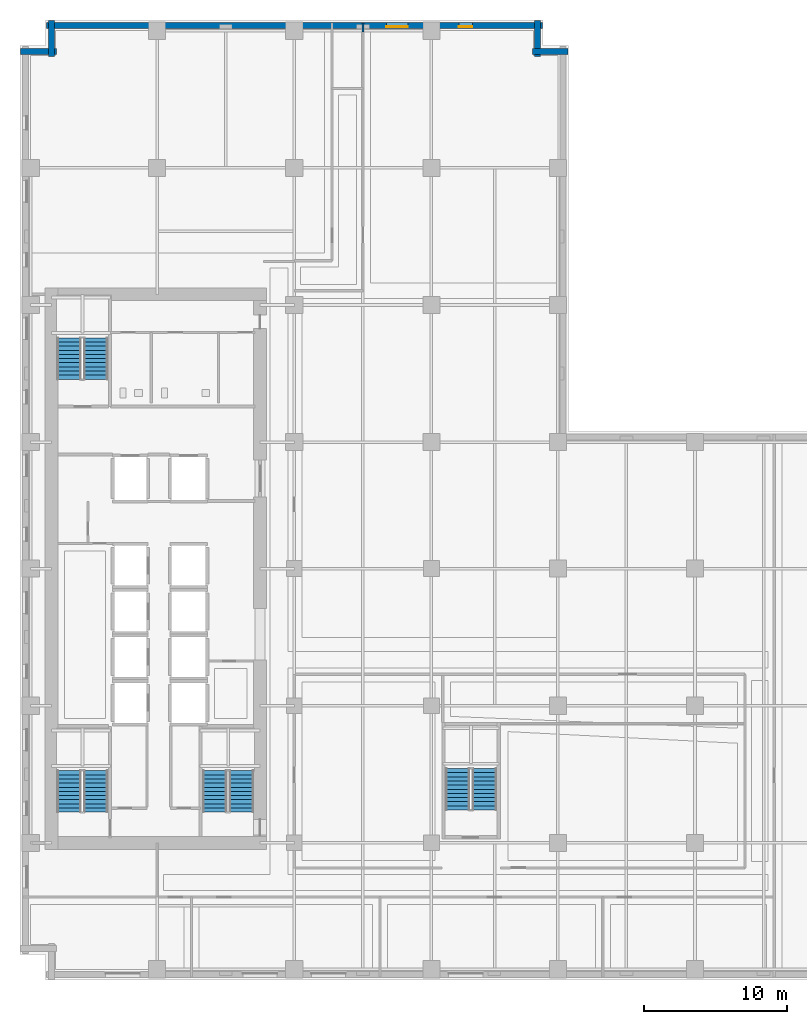
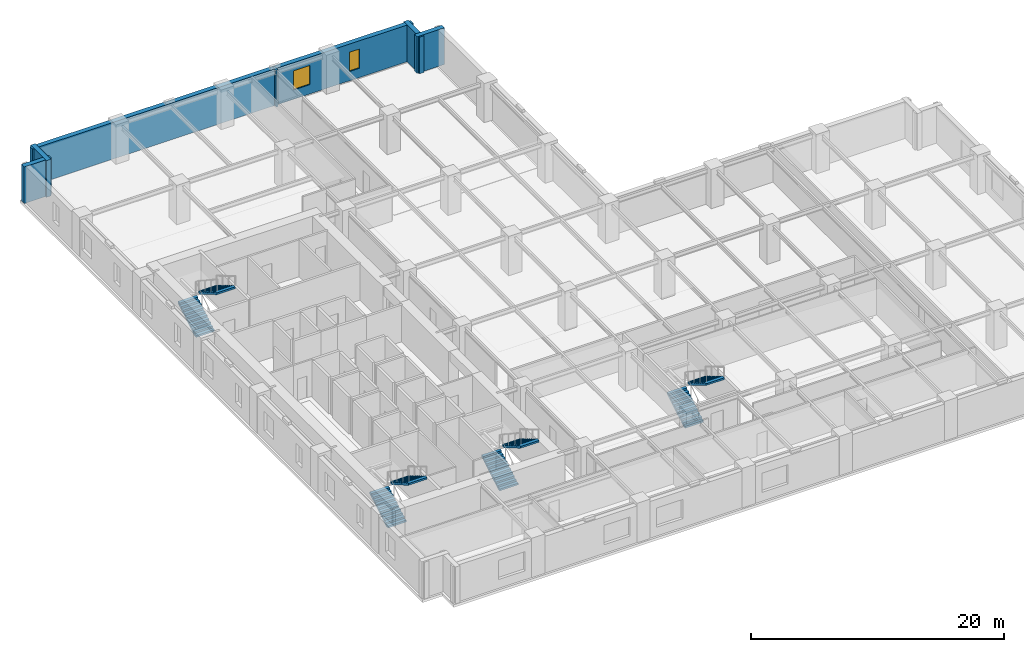
# One storey, part 8 of 13: 8 stair flights, 6 walls, 2 windows, 2 openings, 4 elements without a shape of their own.
"""IFC4 building model written with IfcOpenShell, lengths in metres."""

from ifc_helpers import new_model, si_unit, direction, frame, frame_2d, origin, place, context, subcontext, project, spatial, polyline, rectangle, outline, extrude, material, layer, layer_set, type_object, element, fill, aggregate, save


model = new_model("IFC4")

# Units and contexts
model_context = context("Model", 3, precision=1e-05, world=origin(), true_north=direction((0.0, 1.0)))
body_context = subcontext(model_context, "Body", "Model", "MODEL_VIEW")
ifc_project = project(units=[si_unit("LENGTHUNIT", "METRE"), si_unit("AREAUNIT", "SQUARE_METRE"), si_unit("VOLUMEUNIT", "CUBIC_METRE"), si_unit("PLANEANGLEUNIT", "RADIAN"), si_unit("MASSUNIT", "GRAM", prefix="KILO")], contexts=[model_context])

# Site, building, storey
site_placement = place(None, origin())
site = spatial("IfcSite", under=ifc_project, at=site_placement, CompositionType="ELEMENT")
building_placement = place(site_placement, origin())
building = spatial("IfcBuilding", under=site, at=building_placement, Name="Norrvale University Quadrangle", CompositionType="ELEMENT")
storey_placement = place(building_placement, frame((0.0, 0.0, 39.39990234375)))
storey = spatial("IfcBuildingStorey", under=building, at=storey_placement, Name="L09", CompositionType="ELEMENT", Elevation=39.39990234375)

# Walls
ifc_material_1 = material(Name="Buff Norman Clay Brick Masonry", Category="masonry")
ifc_layer_1 = layer(ifc_material_1, 0.419921875, Name="Buff Norman Clay Brick Masonry")
ifc_layer_set_1 = layer_set([ifc_layer_1], Name="Buff Norman Clay Brick Masonry")
wall_type_1 = type_object("IfcWallType", Name="Wall Buff Brick 420", PredefinedType="SOLIDWALL", material=ifc_layer_set_1)
for number, where, z_axis, x_axis, name in (
    (1, (38.360107421875, 65.010009765625, 0.0), (0.0, 0.0, 1.0), (-1.0, 0.0, 0.0), "Exterior Brick Facade Wall L09-09.1"),
    (2, (36.2099609375, 64.659912109375, 0.0), (0.0, 0.0, 1.0), (0.0, 1.0, 0.0), "Exterior Brick Facade Wall L09-10.1"),
):
    element("IfcWall", number, at=place(storey_placement, frame(where, z_axis=z_axis, x_axis=x_axis)), inside=storey, type_object=wall_type_1, Name=name, PredefinedType="SOLIDWALL", context=body_context, shape_type="SweptSolid", body=[
        extrude(rectangle(XDim=2.5, YDim=0.419921875, at=frame_2d((1.25, 0.0))), origin(), (0.0, 0.0, 1.0), 3.5400390625),
    ])

# Wall, openings, windows
wall_1_placement = place(storey_placement, frame((36.56005859375, 66.81005859375, 0.0), z_axis=(0.0, 0.0, 1.0), x_axis=(-1.0, 0.0, 0.0)))
wall_1 = element("IfcWall", 3, at=wall_1_placement, inside=storey, type_object=wall_type_1, Name="Exterior Brick Facade Wall L09-11.1", PredefinedType="SOLIDWALL", context=body_context, shape_type="SweptSolid", body=[
    extrude(rectangle(XDim=34.719970703125, YDim=0.419921875, at=frame_2d((17.35986328125, 0.0))), origin(), (0.0, 0.0, 1.0), 3.5400390625),
])
opening_1_placement = place(wall_1_placement, frame((4.885009765625, 0.0, 0.89990234375)))
opening_1 = element("IfcOpeningElement", 4, at=opening_1_placement, cuts=wall_1, Name="Opening W04", PredefinedType="OPENING", context=body_context, shape_type="SweptSolid", body=[
    extrude(rectangle(XDim=0.949951171875, YDim=1.85009765625, at=frame_2d((0.47509765625, 0.925048828125))), frame((0.0, 0.221923828125, 0.0), z_axis=(0.0, -1.0, 0.0), x_axis=(1.0, 0.0, 0.0)), (0.0, 0.0, 1.0), 0.44384765625),
])
opening_2_placement = place(wall_1_placement, frame((9.409912109375, 0.0, 0.89990234375)))
opening_2 = element("IfcOpeningElement", 5, at=opening_2_placement, cuts=wall_1, Name="Opening W03", PredefinedType="OPENING", context=body_context, shape_type="SweptSolid", body=[
    extrude(rectangle(XDim=1.5, YDim=1.85009765625, at=frame_2d((0.75, 0.925048828125))), frame((0.0, 0.221923828125, 0.0), z_axis=(0.0, -1.0, 0.0), x_axis=(1.0, 0.0, 0.0)), (0.0, 0.0, 1.0), 0.44384765625),
])
ifc_material_2 = material(Name="Triple Low-E Argon Glazing", Category="glass")
window_type_1 = type_object("IfcWindowType", Name="Window Narrow Pier 950x2300", PartitioningType="SINGLE_PANEL", PredefinedType="WINDOW", material=ifc_material_2)
window_1_placement = place(opening_1_placement, origin())
window_1 = element("IfcWindow", 6, at=window_1_placement, inside=storey, type_object=window_type_1, Name="Window Narrow Pier 950x2300 WIN-L09-E11-1-01", OverallHeight=1.85009765625, OverallWidth=0.949951171875, PartitioningType="SINGLE_PANEL", PredefinedType="WINDOW", context=body_context, shape_type="SweptSolid", body=[
    extrude(rectangle(XDim=0.949951171875, YDim=1.85009765625, at=frame_2d((0.47509765625, 0.925048828125))), frame((0.0, 0.110107421875, 0.0), z_axis=(0.0, -1.0, 0.0), x_axis=(1.0, 0.0, 0.0)), (0.0, 0.0, 1.0), 0.06005859375),
])
fill(opening_1, window_1)
window_type_2 = type_object("IfcWindowType", Name="Window Studio 1500x2300", PartitioningType="DOUBLE_PANEL_VERTICAL", PredefinedType="WINDOW", material=ifc_material_2)
window_2_placement = place(opening_2_placement, origin())
window_2 = element("IfcWindow", 7, at=window_2_placement, inside=storey, type_object=window_type_2, Name="Window Studio 1500x2300 WIN-L09-E11-1-02", OverallHeight=1.85009765625, OverallWidth=1.5, PartitioningType="DOUBLE_PANEL_VERTICAL", PredefinedType="WINDOW", context=body_context, shape_type="SweptSolid", body=[
    extrude(rectangle(XDim=1.5, YDim=1.85009765625, at=frame_2d((0.75, 0.925048828125))), frame((0.0, 0.110107421875, 0.0), z_axis=(0.0, -1.0, 0.0), x_axis=(1.0, 0.0, 0.0)), (0.0, 0.0, 1.0), 0.06005859375),
])
fill(opening_2, window_2)

# Walls
for number, where, z_axis, x_axis, name in (
    (8, (2.18994140625, 67.159912109375, 0.0), (0.0, 0.0, 1.0), (0.0, -1.0, 0.0), "Exterior Brick Facade Wall L09-12.1"),
    (9, (2.5400390625, 65.010009765625, 0.0), (0.0, 0.0, 1.0), (-1.0, 0.0, 0.0), "Exterior Brick Facade Wall L09-13.1"),
):
    element("IfcWall", number, at=place(storey_placement, frame(where, z_axis=z_axis, x_axis=x_axis)), inside=storey, type_object=wall_type_1, Name=name, PredefinedType="SOLIDWALL", context=body_context, shape_type="SweptSolid", body=[
        extrude(rectangle(XDim=2.5, YDim=0.419921875, at=frame_2d((1.25, 0.0))), origin(), (0.0, 0.0, 1.0), 3.5400390625),
    ])
ifc_material_3 = material(Name="Fire-Rated Gypsum Stud Partition")
ifc_layer_2 = layer(ifc_material_3, 0.14990234375, Name="Fire-Rated Gypsum Stud Partition")
ifc_layer_set_2 = layer_set([ifc_layer_2], Name="Fire-Rated Gypsum Stud Partition")
wall_type_2 = type_object("IfcWallType", Name="Wall Gypsum Corridor 150", PredefinedType="PARTITIONING", material=ifc_layer_set_2)
wall_2_placement = place(storey_placement, frame((24.0, 66.359619140625, 0.0), z_axis=(0.0, 0.0, 1.0), x_axis=(0.0, 1.0, 0.0)))
element("IfcWall", 10, at=wall_2_placement, inside=storey, type_object=wall_type_2, Name="Interior Partition WL-L09-NECW-B2", PredefinedType="PARTITIONING", context=body_context, shape_type="SweptSolid", body=[
    extrude(rectangle(XDim=0.620361328125, YDim=0.14990234375, at=frame_2d((0.31005859375, 0.0))), origin(), (0.0, 0.0, 1.0), 3.5400390625),
])

# Stair, stair flights
ifc_material_4 = material(Name="Concrete C40/50", Category="concrete")
stair_type = type_object("IfcStairType", Name="Stair Tower Typ 3800", PredefinedType="TWO_STRAIGHT_RUN_STAIR", material=ifc_material_4)
stair_1_placement = place(storey_placement, origin())
stair_1 = element("IfcStair", 11, at=stair_1_placement, inside=storey, type_object=stair_type, Name="Exit Stair ST-01 L09", PredefinedType="TWO_STRAIGHT_RUN_STAIR")
stair_flight_type = type_object("IfcStairFlightType", Name="Flight Typ 1500", PredefinedType="STRAIGHT", material=ifc_material_4)
stair_flight_1_placement = place(storey_placement, frame((3.429931640625, 11.75, 0.0), z_axis=(0.0, 0.0, 1.0), x_axis=(0.0, 1.0, 0.0)))
stair_flight_1 = element("IfcStairFlight", 12, at=stair_flight_1_placement, type_object=stair_flight_type, Name="Exit Stair ST-01 L09 Lower Flight", NumberOfRisers=11, NumberOfTreads=10, PredefinedType="STRAIGHT", RiserHeight=0.172727, TreadLength=0.29, context=body_context, shape_type="SweptSolid", body=[
    extrude(outline(polyline([(0.0, 0.0), (0.0, 0.172607421875), (0.2900390625, 0.172607421875), (0.2900390625, 0.345458984375), (0.580078125, 0.345458984375), (0.580078125, 0.51806640625), (0.8701171875, 0.51806640625), (0.8701171875, 0.69091796875), (1.159912109375, 0.69091796875), (1.159912109375, 0.863525390625), (1.449951171875, 0.863525390625), (1.449951171875, 1.036376953125), (1.739990234375, 1.036376953125), (1.739990234375, 1.208984375), (2.030029296875, 1.208984375), (2.030029296875, 1.3818359375), (2.320068359375, 1.3818359375), (2.320068359375, 1.554443359375), (2.610107421875, 1.554443359375), (2.610107421875, 1.727294921875), (2.89990234375, 1.727294921875), (2.89990234375, 1.89990234375), (2.89990234375, 1.552734375), (0.29296875, 0.0), (0.0, 0.0)])), frame((0.0, 0.83984375, 0.0), z_axis=(0.0, -1.0, 0.0), x_axis=(1.0, 0.0, 0.0)), (0.0, 0.0, 1.0), 1.679931640625),
])
stair_flight_2_placement = place(storey_placement, frame((5.320068359375, 14.64990234375, 1.900146484375), z_axis=(0.0, 0.0, 1.0), x_axis=(0.0, -1.0, 0.0)))
stair_flight_2 = element("IfcStairFlight", 13, at=stair_flight_2_placement, type_object=stair_flight_type, Name="Exit Stair ST-01 L09 Upper Flight", NumberOfRisers=11, NumberOfTreads=10, PredefinedType="STRAIGHT", RiserHeight=0.172727, TreadLength=0.29, context=body_context, shape_type="SweptSolid", body=[
    extrude(outline(polyline([(0.0, 0.0), (0.0, 0.172607421875), (0.2900390625, 0.172607421875), (0.2900390625, 0.345458984375), (0.580078125, 0.345458984375), (0.580078125, 0.51806640625), (0.8701171875, 0.51806640625), (0.8701171875, 0.69091796875), (1.159912109375, 0.69091796875), (1.159912109375, 0.863525390625), (1.449951171875, 0.863525390625), (1.449951171875, 1.036376953125), (1.739990234375, 1.036376953125), (1.739990234375, 1.208984375), (2.030029296875, 1.208984375), (2.030029296875, 1.3818359375), (2.320068359375, 1.3818359375), (2.320068359375, 1.554443359375), (2.610107421875, 1.554443359375), (2.610107421875, 1.727294921875), (2.89990234375, 1.727294921875), (2.89990234375, 1.89990234375), (2.89990234375, 1.552734375), (0.29296875, 0.0), (0.0, 0.0)])), frame((0.0, 0.83984375, 0.0), z_axis=(0.0, -1.0, 0.0), x_axis=(1.0, 0.0, 0.0)), (0.0, 0.0, 1.0), 1.679931640625),
])
aggregate(stair_1, [stair_flight_1, stair_flight_2])

stair_2_placement = place(storey_placement, origin())
stair_2 = element("IfcStair", 14, at=stair_2_placement, inside=storey, type_object=stair_type, Name="Exit Stair ST-02 L09", PredefinedType="TWO_STRAIGHT_RUN_STAIR")
stair_flight_3_placement = place(storey_placement, frame((3.429931640625, 42.050048828125, 0.0), z_axis=(0.0, 0.0, 1.0), x_axis=(0.0, 1.0, 0.0)))
stair_flight_3 = element("IfcStairFlight", 15, at=stair_flight_3_placement, type_object=stair_flight_type, Name="Exit Stair ST-02 L09 Lower Flight", NumberOfRisers=11, NumberOfTreads=10, PredefinedType="STRAIGHT", RiserHeight=0.172727, TreadLength=0.29, context=body_context, shape_type="SweptSolid", body=[
    extrude(outline(polyline([(0.0, 0.0), (0.0, 0.172607421875), (0.2900390625, 0.172607421875), (0.2900390625, 0.345458984375), (0.580078125, 0.345458984375), (0.580078125, 0.51806640625), (0.8701171875, 0.51806640625), (0.8701171875, 0.69091796875), (1.159912109375, 0.69091796875), (1.159912109375, 0.863525390625), (1.449951171875, 0.863525390625), (1.449951171875, 1.036376953125), (1.739990234375, 1.036376953125), (1.739990234375, 1.208984375), (2.030029296875, 1.208984375), (2.030029296875, 1.3818359375), (2.320068359375, 1.3818359375), (2.320068359375, 1.554443359375), (2.610107421875, 1.554443359375), (2.610107421875, 1.727294921875), (2.89990234375, 1.727294921875), (2.89990234375, 1.89990234375), (2.89990234375, 1.552734375), (0.29296875, 0.0), (0.0, 0.0)])), frame((0.0, 0.83984375, 0.0), z_axis=(0.0, -1.0, 0.0), x_axis=(1.0, 0.0, 0.0)), (0.0, 0.0, 1.0), 1.679931640625),
])
stair_flight_4_placement = place(storey_placement, frame((5.320068359375, 44.949951171875, 1.900146484375), z_axis=(0.0, 0.0, 1.0), x_axis=(0.0, -1.0, 0.0)))
stair_flight_4 = element("IfcStairFlight", 16, at=stair_flight_4_placement, type_object=stair_flight_type, Name="Exit Stair ST-02 L09 Upper Flight", NumberOfRisers=11, NumberOfTreads=10, PredefinedType="STRAIGHT", RiserHeight=0.172727, TreadLength=0.29, context=body_context, shape_type="SweptSolid", body=[
    extrude(outline(polyline([(0.0, 0.0), (0.0, 0.172607421875), (0.2900390625, 0.172607421875), (0.2900390625, 0.345458984375), (0.580078125, 0.345458984375), (0.580078125, 0.51806640625), (0.8701171875, 0.51806640625), (0.8701171875, 0.69091796875), (1.159912109375, 0.69091796875), (1.159912109375, 0.863525390625), (1.449951171875, 0.863525390625), (1.449951171875, 1.036376953125), (1.739990234375, 1.036376953125), (1.739990234375, 1.208984375), (2.030029296875, 1.208984375), (2.030029296875, 1.3818359375), (2.320068359375, 1.3818359375), (2.320068359375, 1.554443359375), (2.610107421875, 1.554443359375), (2.610107421875, 1.727294921875), (2.89990234375, 1.727294921875), (2.89990234375, 1.89990234375), (2.89990234375, 1.552734375), (0.29296875, 0.0), (0.0, 0.0)])), frame((0.0, 0.83984375, 0.0), z_axis=(0.0, -1.0, 0.0), x_axis=(1.0, 0.0, 0.0)), (0.0, 0.0, 1.0), 1.679931640625),
])
aggregate(stair_2, [stair_flight_3, stair_flight_4])

stair_3_placement = place(storey_placement, origin())
stair_3 = element("IfcStair", 17, at=stair_3_placement, inside=storey, type_object=stair_type, Name="Exit Stair ST-03 L09", PredefinedType="TWO_STRAIGHT_RUN_STAIR")
stair_flight_5_placement = place(storey_placement, frame((13.6298828125, 11.75, 0.0), z_axis=(0.0, 0.0, 1.0), x_axis=(0.0, 1.0, 0.0)))
stair_flight_5 = element("IfcStairFlight", 18, at=stair_flight_5_placement, type_object=stair_flight_type, Name="Exit Stair ST-03 L09 Lower Flight", NumberOfRisers=11, NumberOfTreads=10, PredefinedType="STRAIGHT", RiserHeight=0.172727, TreadLength=0.29, context=body_context, shape_type="SweptSolid", body=[
    extrude(outline(polyline([(0.0, 0.0), (0.0, 0.172607421875), (0.2900390625, 0.172607421875), (0.2900390625, 0.345458984375), (0.580078125, 0.345458984375), (0.580078125, 0.51806640625), (0.8701171875, 0.51806640625), (0.8701171875, 0.69091796875), (1.159912109375, 0.69091796875), (1.159912109375, 0.863525390625), (1.449951171875, 0.863525390625), (1.449951171875, 1.036376953125), (1.739990234375, 1.036376953125), (1.739990234375, 1.208984375), (2.030029296875, 1.208984375), (2.030029296875, 1.3818359375), (2.320068359375, 1.3818359375), (2.320068359375, 1.554443359375), (2.610107421875, 1.554443359375), (2.610107421875, 1.727294921875), (2.89990234375, 1.727294921875), (2.89990234375, 1.89990234375), (2.89990234375, 1.552734375), (0.29296875, 0.0), (0.0, 0.0)])), frame((0.0, 0.83984375, 0.0), z_axis=(0.0, -1.0, 0.0), x_axis=(1.0, 0.0, 0.0)), (0.0, 0.0, 1.0), 1.679931640625),
])
stair_flight_6_placement = place(storey_placement, frame((15.52001953125, 14.64990234375, 1.900146484375), z_axis=(0.0, 0.0, 1.0), x_axis=(0.0, -1.0, 0.0)))
stair_flight_6 = element("IfcStairFlight", 19, at=stair_flight_6_placement, type_object=stair_flight_type, Name="Exit Stair ST-03 L09 Upper Flight", NumberOfRisers=11, NumberOfTreads=10, PredefinedType="STRAIGHT", RiserHeight=0.172727, TreadLength=0.29, context=body_context, shape_type="SweptSolid", body=[
    extrude(outline(polyline([(0.0, 0.0), (0.0, 0.172607421875), (0.2900390625, 0.172607421875), (0.2900390625, 0.345458984375), (0.580078125, 0.345458984375), (0.580078125, 0.51806640625), (0.8701171875, 0.51806640625), (0.8701171875, 0.69091796875), (1.159912109375, 0.69091796875), (1.159912109375, 0.863525390625), (1.449951171875, 0.863525390625), (1.449951171875, 1.036376953125), (1.739990234375, 1.036376953125), (1.739990234375, 1.208984375), (2.030029296875, 1.208984375), (2.030029296875, 1.3818359375), (2.320068359375, 1.3818359375), (2.320068359375, 1.554443359375), (2.610107421875, 1.554443359375), (2.610107421875, 1.727294921875), (2.89990234375, 1.727294921875), (2.89990234375, 1.89990234375), (2.89990234375, 1.552734375), (0.29296875, 0.0), (0.0, 0.0)])), frame((0.0, 0.83984375, 0.0), z_axis=(0.0, -1.0, 0.0), x_axis=(1.0, 0.0, 0.0)), (0.0, 0.0, 1.0), 1.679931640625),
])
aggregate(stair_3, [stair_flight_5, stair_flight_6])

stair_4_placement = place(storey_placement, origin())
stair_4 = element("IfcStair", 20, at=stair_4_placement, inside=storey, type_object=stair_type, Name="Exit Stair ST-04 L09", PredefinedType="TWO_STRAIGHT_RUN_STAIR")
stair_flight_7_placement = place(storey_placement, frame((30.6298828125, 11.89990234375, 0.0), z_axis=(0.0, 0.0, 1.0), x_axis=(0.0, 1.0, 0.0)))
stair_flight_7 = element("IfcStairFlight", 21, at=stair_flight_7_placement, type_object=stair_flight_type, Name="Exit Stair ST-04 L09 Lower Flight", NumberOfRisers=11, NumberOfTreads=10, PredefinedType="STRAIGHT", RiserHeight=0.172727, TreadLength=0.29, context=body_context, shape_type="SweptSolid", body=[
    extrude(outline(polyline([(0.0, 0.0), (0.0, 0.172607421875), (0.2900390625, 0.172607421875), (0.2900390625, 0.345458984375), (0.580078125, 0.345458984375), (0.580078125, 0.51806640625), (0.8701171875, 0.51806640625), (0.8701171875, 0.69091796875), (1.159912109375, 0.69091796875), (1.159912109375, 0.863525390625), (1.449951171875, 0.863525390625), (1.449951171875, 1.036376953125), (1.739990234375, 1.036376953125), (1.739990234375, 1.208984375), (2.030029296875, 1.208984375), (2.030029296875, 1.3818359375), (2.320068359375, 1.3818359375), (2.320068359375, 1.554443359375), (2.610107421875, 1.554443359375), (2.610107421875, 1.727294921875), (2.89990234375, 1.727294921875), (2.89990234375, 1.89990234375), (2.89990234375, 1.552734375), (0.29296875, 0.0), (0.0, 0.0)])), frame((0.0, 0.83984375, 0.0), z_axis=(0.0, -1.0, 0.0), x_axis=(1.0, 0.0, 0.0)), (0.0, 0.0, 1.0), 1.679931640625),
])
stair_flight_8_placement = place(storey_placement, frame((32.52001953125, 14.800048828125, 1.900146484375), z_axis=(0.0, 0.0, 1.0), x_axis=(0.0, -1.0, 0.0)))
stair_flight_8 = element("IfcStairFlight", 22, at=stair_flight_8_placement, type_object=stair_flight_type, Name="Exit Stair ST-04 L09 Upper Flight", NumberOfRisers=11, NumberOfTreads=10, PredefinedType="STRAIGHT", RiserHeight=0.172727, TreadLength=0.29, context=body_context, shape_type="SweptSolid", body=[
    extrude(outline(polyline([(0.0, 0.0), (0.0, 0.172607421875), (0.2900390625, 0.172607421875), (0.2900390625, 0.345458984375), (0.580078125, 0.345458984375), (0.580078125, 0.51806640625), (0.8701171875, 0.51806640625), (0.8701171875, 0.69091796875), (1.159912109375, 0.69091796875), (1.159912109375, 0.863525390625), (1.449951171875, 0.863525390625), (1.449951171875, 1.036376953125), (1.739990234375, 1.036376953125), (1.739990234375, 1.208984375), (2.030029296875, 1.208984375), (2.030029296875, 1.3818359375), (2.320068359375, 1.3818359375), (2.320068359375, 1.554443359375), (2.610107421875, 1.554443359375), (2.610107421875, 1.727294921875), (2.89990234375, 1.727294921875), (2.89990234375, 1.89990234375), (2.89990234375, 1.552734375), (0.29296875, 0.0), (0.0, 0.0)])), frame((0.0, 0.83984375, 0.0), z_axis=(0.0, -1.0, 0.0), x_axis=(1.0, 0.0, 0.0)), (0.0, 0.0, 1.0), 1.679931640625),
])
aggregate(stair_4, [stair_flight_7, stair_flight_8])

save(model, "model.ifc")
